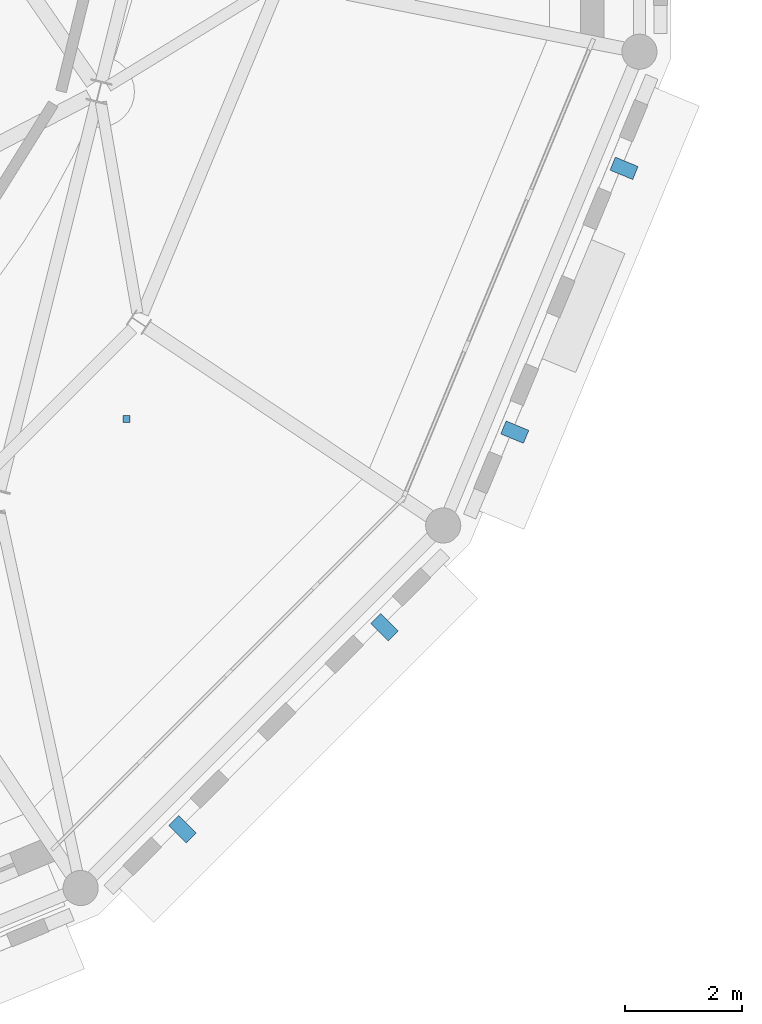
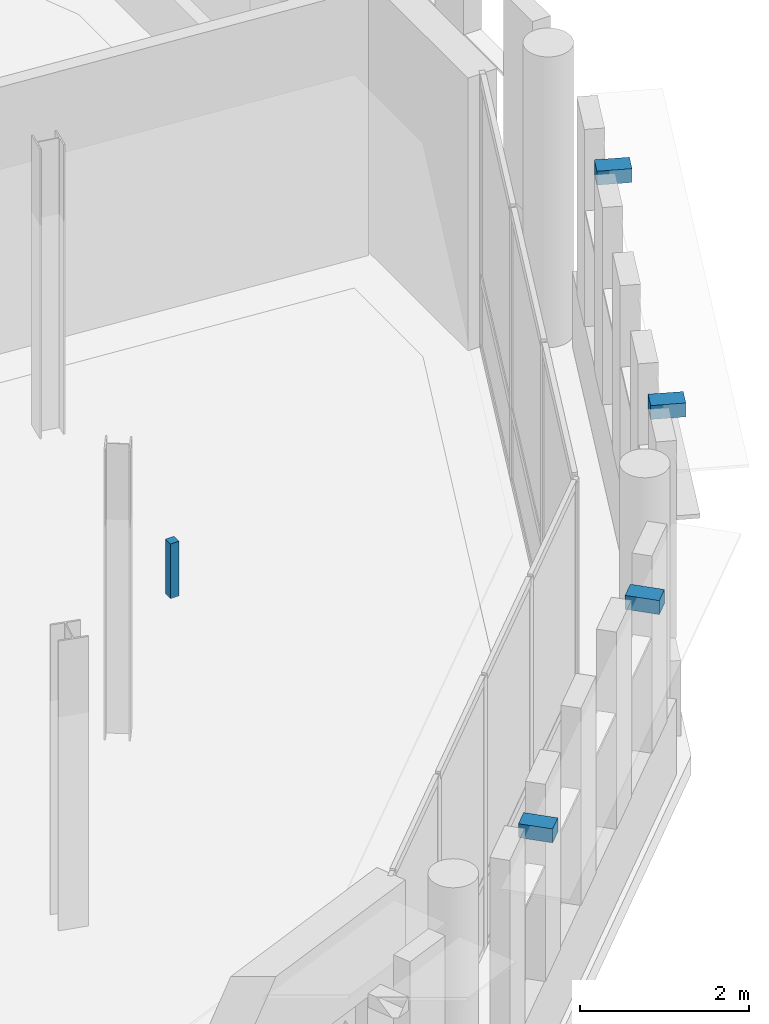
# One storey, part 113 of 125: 5 discrete accessories.
"""IFC4 building model written with IfcOpenShell, lengths in metres."""

from ifc_helpers import new_model, si_unit, direction, frame, origin, origin_2d, place, context, subcontext, project, spatial, rectangle, extrude, material, type_object, element, save


model = new_model("IFC4")

# Units and contexts
model_context = context("Model", 3, precision=1e-05, world=origin(), true_north=direction((0.0, 1.0)))
body_context = subcontext(model_context, "Body", "Model", "MODEL_VIEW")
ifc_project = project(units=[si_unit("LENGTHUNIT", "METRE"), si_unit("AREAUNIT", "SQUARE_METRE"), si_unit("VOLUMEUNIT", "CUBIC_METRE"), si_unit("PLANEANGLEUNIT", "RADIAN"), si_unit("MASSUNIT", "GRAM", prefix="KILO")], contexts=[model_context])

# Site, building, storey
site_placement = place(None, origin())
site = spatial("IfcSite", under=ifc_project, at=site_placement, CompositionType="ELEMENT")
building_placement = place(site_placement, origin())
building = spatial("IfcBuilding", under=site, at=building_placement, Name="Wrenclough Park School", CompositionType="ELEMENT")
storey_placement = place(building_placement, frame((0.0, 0.0, 4.199951171875)))
storey = spatial("IfcBuildingStorey", under=building, at=storey_placement, Name="L01", CompositionType="ELEMENT", Elevation=4.199951171875)

# Discrete accessories
ifc_material_1 = material(Name="Austenitic stainless steel Grade 1.4401", Category="steel")
discrete_accessory_type_1 = type_object("IfcDiscreteAccessoryType", Name="ENV-BRK-01", PredefinedType="BRACKET", material=ifc_material_1)
for number, where, z_axis, x_axis, name in (
    (1, (169.712158203125, 8.838623046875, 3.5400390625), (0.0, 0.0, 1.0), (0.707106781187, 0.707106781187, 0.0), "Brise-soleil stainless outrigger bracket 0017"),
    (2, (173.161376953125, 12.287841796875, 3.5400390625), (0.0, 0.0, 1.0), (0.707106781187, 0.707106781187, 0.0), "Brise-soleil stainless outrigger bracket 0018"),
    (3, (175.38916015625, 15.62158203125, 3.5400390625), (0.0, 0.0, 1.0), (0.382692183809, 0.923875907496, 0.0), "Brise-soleil stainless outrigger bracket 0019"),
    (4, (177.255859375, 20.128173828125, 3.5400390625), (0.0, 0.0, 1.0), (0.382692183809, 0.923875907496, 0.0), "Brise-soleil stainless outrigger bracket 0020"),
):
    element("IfcDiscreteAccessory", number, at=place(storey_placement, frame(where, z_axis=z_axis, x_axis=x_axis)), inside=storey, type_object=discrete_accessory_type_1, Name=name, PredefinedType="BRACKET", context=body_context, shape_type="SweptSolid", body=[
        extrude(rectangle(XDim=0.239990234375, YDim=0.419921875, at=origin_2d()), origin(), (0.0, 0.0, 1.0), 0.199951171875),
    ])
ifc_material_2 = material(Name="Galvanised steel acoustic ceiling suspension hanger", Category="steel")
discrete_accessory_type_2 = type_object("IfcDiscreteAccessoryType", Name="INT-BRK-HGR", PredefinedType="BRACKET", material=ifc_material_2)
discrete_accessory_placement = place(storey_placement, frame((168.756591796875, 15.845458984375, 3.090087890625), z_axis=(0.0, 0.0, 1.0), x_axis=(1.0, 0.0, 0.0)))
element("IfcDiscreteAccessory", 5, at=discrete_accessory_placement, inside=storey, type_object=discrete_accessory_type_2, Name="Acoustic ceiling hanger bracket 0020", PredefinedType="BRACKET", context=body_context, shape_type="SweptSolid", body=[
    extrude(rectangle(XDim=0.1201171875, YDim=0.1201171875, at=origin_2d()), origin(), (0.0, 0.0, 1.0), 0.7900390625),
])

save(model, "model.ifc")
